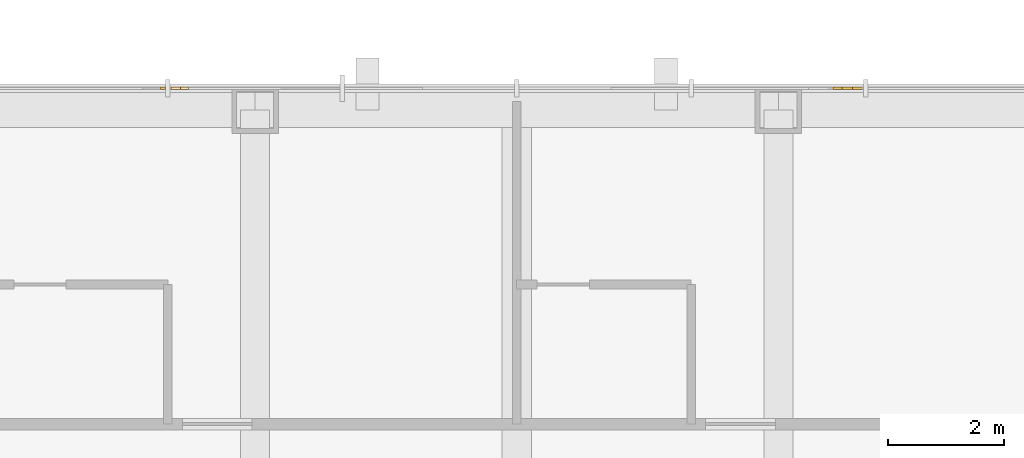
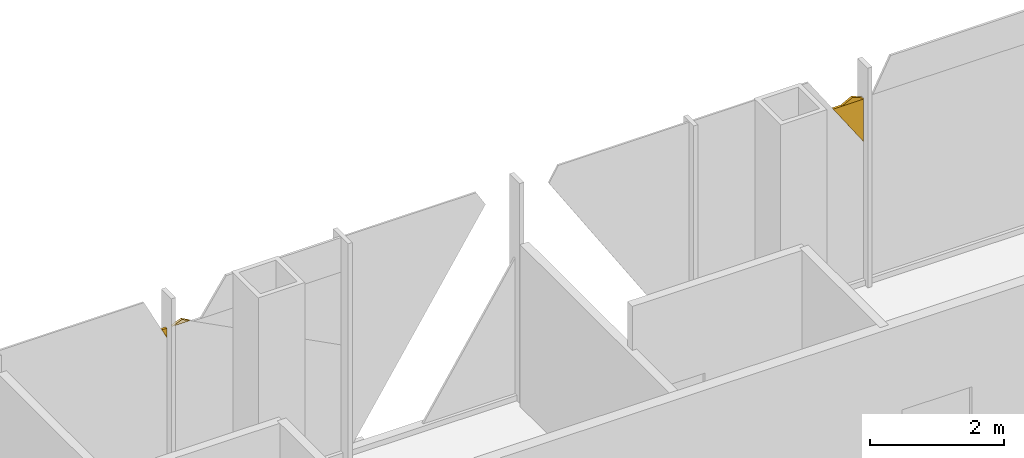
# One storey, part 20 of 25: 4 coverings.
"""IFC4 building model written with IfcOpenShell, lengths in metres."""

from ifc_helpers import new_model, si_unit, direction, frame, origin, place, context, subcontext, project, spatial, polyline, outline, extrude, material, layer, layer_set, type_object, element, save


model = new_model("IFC4")

# Units and contexts
model_context = context("Model", 3, precision=1e-05, world=origin(), true_north=direction((0.0, 1.0)))
body_context = subcontext(model_context, "Body", "Model", "MODEL_VIEW")
ifc_project = project(units=[si_unit("LENGTHUNIT", "METRE"), si_unit("AREAUNIT", "SQUARE_METRE"), si_unit("VOLUMEUNIT", "CUBIC_METRE"), si_unit("PLANEANGLEUNIT", "RADIAN"), si_unit("MASSUNIT", "GRAM", prefix="KILO")], contexts=[model_context])

# Site, building, storey
site_placement = place(None, origin())
site = spatial("IfcSite", under=ifc_project, at=site_placement, CompositionType="ELEMENT")
building_placement = place(site_placement, origin())
building = spatial("IfcBuilding", under=site, at=building_placement, Name="Malebo Sky Hospital", CompositionType="ELEMENT")
storey_placement = place(building_placement, frame((0.0, 0.0, 241.0)))
storey = spatial("IfcBuildingStorey", under=building, at=storey_placement, Name="L58", CompositionType="ELEMENT", Elevation=241.0)

# Coverings
ifc_material = material(Name="Anodised aluminium, natural silver insulated infill panel", Category="aluminium")
ifc_layer = layer(ifc_material, 0.0400390625)
ifc_layer_set = layer_set([ifc_layer], Name="BRACE INFILL PANEL 40")
covering_type = type_object("IfcCoveringType", Name="BRACE INFILL PANEL 40", PredefinedType="CLADDING", material=ifc_layer_set)
covering_1_placement = place(storey_placement, frame((53.91845703125, 84.574951171875, 3.217529296875), z_axis=(0.0, 0.0, 1.0), x_axis=(1.0, 0.0, 0.0)))
element("IfcCovering", 1, at=covering_1_placement, inside=storey, type_object=covering_type, Name="Brace infill panel 5.1", PredefinedType="CLADDING", context=body_context, shape_type="SweptSolid", body=[
    extrude(outline(polyline([(0.044189453125, 0.0), (0.044189453125, 0.17236328125), (-0.0439453125, 0.17236328125), (0.044189453125, 0.0)])), frame((0.0, 0.02001953125, 0.0), z_axis=(0.0, -1.0, 0.0), x_axis=(1.0, 0.0, 0.0)), (0.0, 0.0, 1.0), 0.0400390625),
])
covering_2_placement = place(storey_placement, frame((54.204345703125, 84.574951171875, 3.389892578125), z_axis=(0.0, 0.0, 1.0), x_axis=(1.0, 0.0, 0.0)))
element("IfcCovering", 2, at=covering_2_placement, inside=storey, type_object=covering_type, Name="Brace infill panel 6.3", PredefinedType="CLADDING", context=body_context, shape_type="SweptSolid", body=[
    extrude(outline(polyline([(-0.149658203125, 0.0), (0.149658203125, 0.0), (0.01708984375, 0.06884765625), (-0.149658203125, 0.0)])), frame((0.0, 0.02001953125, 0.0), z_axis=(0.0, -1.0, 0.0), x_axis=(1.0, 0.0, 0.0)), (0.0, 0.0, 1.0), 0.0400390625),
])
covering_3_placement = place(storey_placement, frame((65.701904296875, 84.574951171875, 2.58984375), z_axis=(0.0, 0.0, 1.0), x_axis=(1.0, 0.0, 0.0)))
element("IfcCovering", 3, at=covering_3_placement, inside=storey, type_object=covering_type, Name="Brace infill panel 9.1", PredefinedType="CLADDING", context=body_context, shape_type="SweptSolid", body=[
    extrude(outline(polyline([(0.260498046875, 0.0), (0.260498046875, 0.77099609375), (-0.260498046875, 0.77099609375), (0.260498046875, 0.0)])), frame((0.0, 0.02001953125, 0.0), z_axis=(0.0, -1.0, 0.0), x_axis=(1.0, 0.0, 0.0)), (0.0, 0.0, 1.0), 0.0400390625),
])
covering_4_placement = place(storey_placement, frame((65.7763671875, 84.574951171875, 3.36083984375), z_axis=(0.0, 0.0, 1.0), x_axis=(1.0, 0.0, 0.0)))
element("IfcCovering", 4, at=covering_4_placement, inside=storey, type_object=covering_type, Name="Brace infill panel 9.2", PredefinedType="CLADDING", context=body_context, shape_type="SweptSolid", body=[
    extrude(outline(polyline([(-0.18603515625, 0.0), (0.18603515625, 0.0), (0.18603515625, 0.02197265625), (0.001953125, 0.097900390625), (-0.18603515625, 0.0)])), frame((0.0, 0.02001953125, 0.0), z_axis=(0.0, -1.0, 0.0), x_axis=(1.0, 0.0, 0.0)), (0.0, 0.0, 1.0), 0.0400390625),
])

save(model, "model.ifc")
